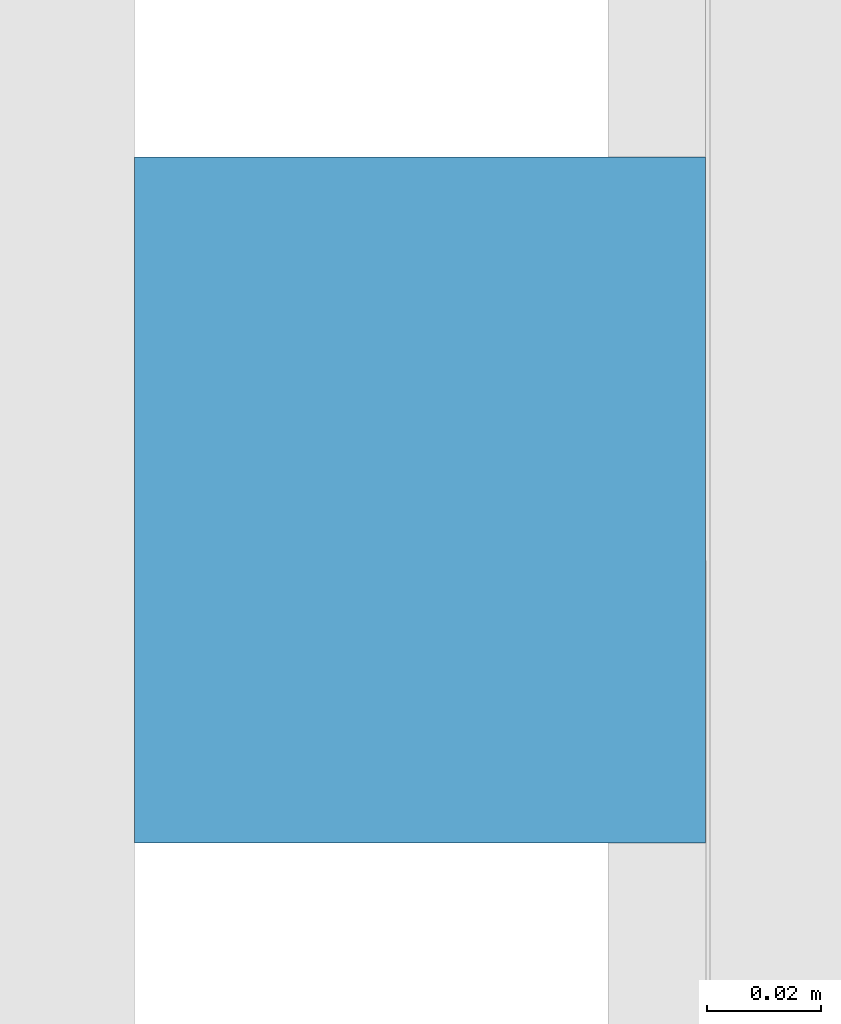
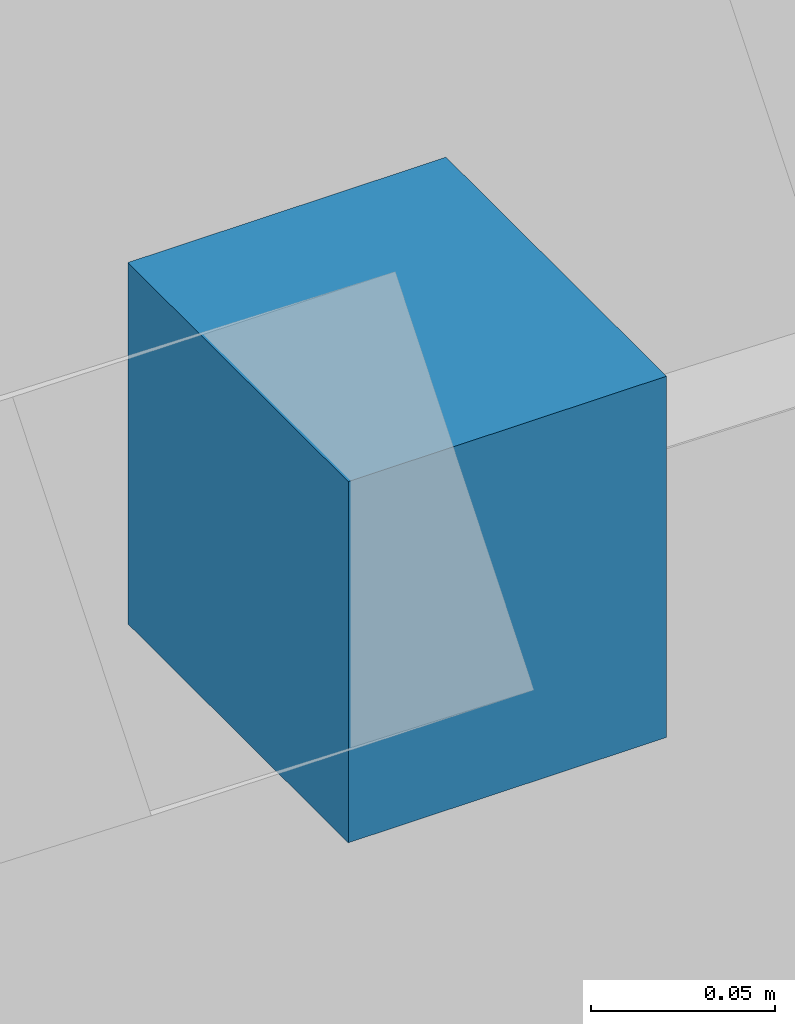
# One storey, part 24 of 27: 1 discrete accessory.
"""IFC4 building model written with IfcOpenShell, lengths in metres."""

from ifc_helpers import new_model, si_unit, direction, frame, origin, origin_2d, place, context, subcontext, project, spatial, rectangle, extrude, material, type_object, element, save


model = new_model("IFC4")

# Units and contexts
model_context = context("Model", 3, precision=1e-05, world=origin(), true_north=direction((0.0, 1.0)))
body_context = subcontext(model_context, "Body", "Model", "MODEL_VIEW")
ifc_project = project(units=[si_unit("LENGTHUNIT", "METRE"), si_unit("AREAUNIT", "SQUARE_METRE"), si_unit("VOLUMEUNIT", "CUBIC_METRE"), si_unit("PLANEANGLEUNIT", "RADIAN"), si_unit("MASSUNIT", "GRAM", prefix="KILO")], contexts=[model_context])

# Site, building, storey
site_placement = place(None, origin())
site = spatial("IfcSite", under=ifc_project, at=site_placement, CompositionType="ELEMENT")
building_placement = place(site_placement, origin())
building = spatial("IfcBuilding", under=site, at=building_placement, Name="Crosswind Convention Tower", CompositionType="ELEMENT")
storey_placement = place(building_placement, frame((0.0, 0.0, 101.60009765625)))
storey = spatial("IfcBuildingStorey", under=building, at=storey_placement, Name="L20", CompositionType="ELEMENT", Elevation=101.60009765625)

# Discrete accessory
ifc_material = material(Name="Stainless steel", Category="steel")
discrete_accessory_type = type_object("IfcDiscreteAccessoryType", Name="BAGUETTE BRACKET BK2", PredefinedType="BRACKET", material=ifc_material)
discrete_accessory_placement = place(storey_placement, frame((88.2919921875, 110.233642578125, 1.417236328125), z_axis=(0.0, 0.0, 1.0), x_axis=(0.0, -1.0, 0.0)))
element("IfcDiscreteAccessory", 1, at=discrete_accessory_placement, inside=storey, type_object=discrete_accessory_type, Name="BK2 baguette bracket", PredefinedType="BRACKET", context=body_context, shape_type="SweptSolid", body=[
    extrude(rectangle(XDim=0.1201171875, YDim=0.10009765625, at=origin_2d()), origin(), (0.0, 0.0, 1.0), 0.1201171875),
])

save(model, "model.ifc")
